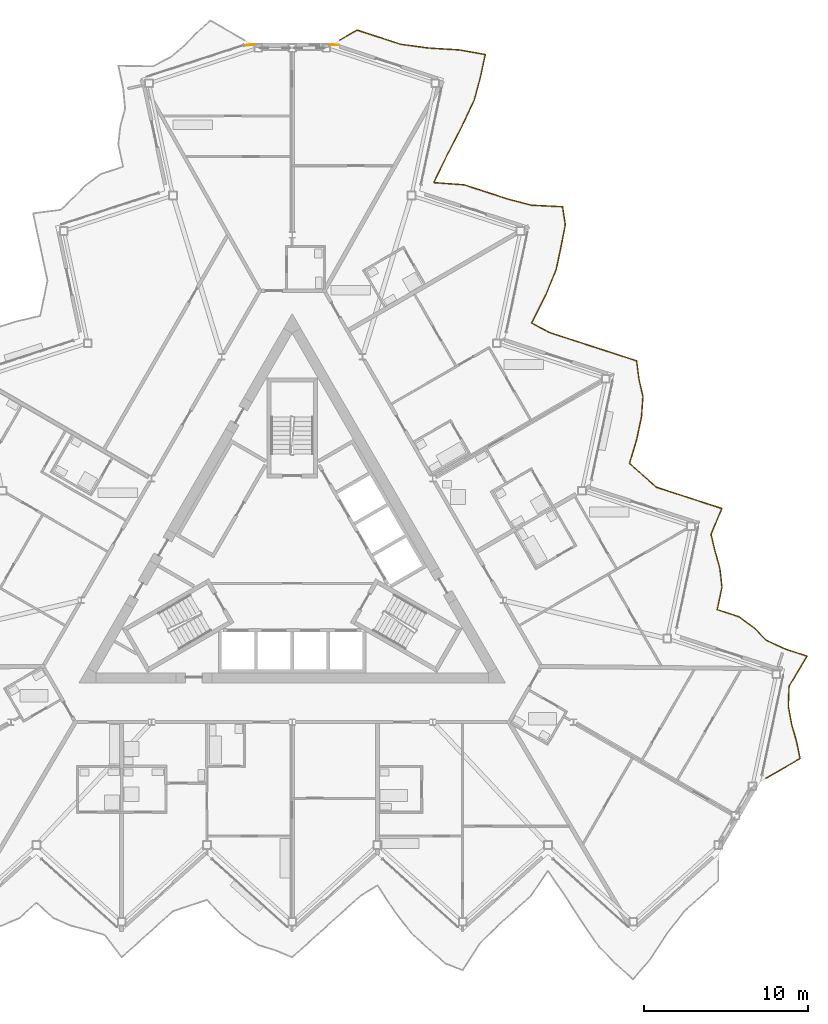
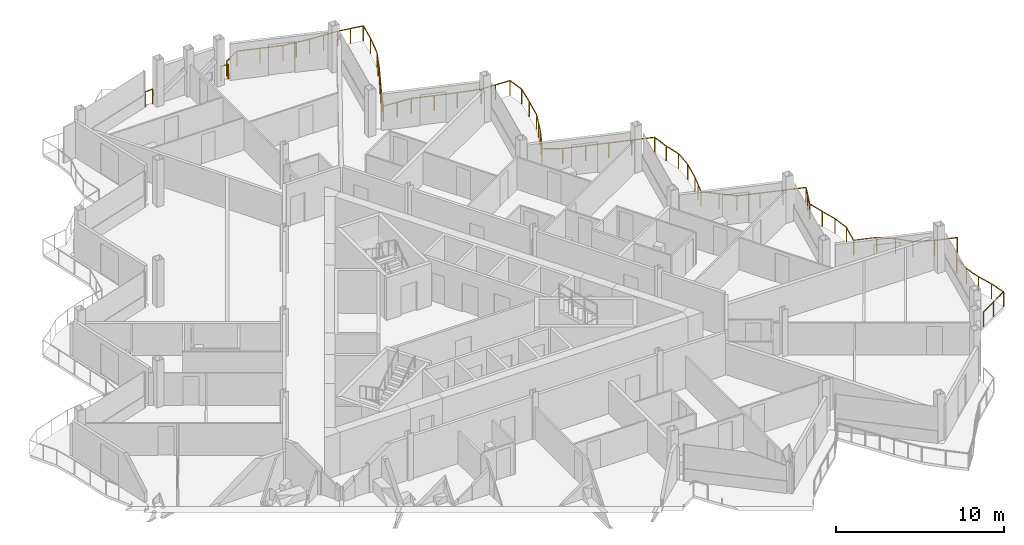
# One storey, part 24 of 26: 3 railings.
"""IFC4 building model written with IfcOpenShell, lengths in metres."""

from ifc_helpers import new_model, si_unit, direction, frame, origin, origin_2d, place, context, subcontext, project, spatial, circle, extrude, material, type_object, element, save


model = new_model("IFC4")

# Units and contexts
model_context = context("Model", 3, precision=1e-05, world=origin(), true_north=direction((0.0, 1.0)))
body_context = subcontext(model_context, "Body", "Model", "MODEL_VIEW")
ifc_project = project(units=[si_unit("LENGTHUNIT", "METRE"), si_unit("AREAUNIT", "SQUARE_METRE"), si_unit("VOLUMEUNIT", "CUBIC_METRE"), si_unit("PLANEANGLEUNIT", "RADIAN"), si_unit("MASSUNIT", "GRAM", prefix="KILO")], contexts=[model_context])

# Site, building, storey
site_placement = place(None, origin())
site = spatial("IfcSite", under=ifc_project, at=site_placement, CompositionType="ELEMENT")
building_placement = place(site_placement, origin())
building = spatial("IfcBuilding", under=site, at=building_placement, Name="Cormorant Prow Tower", CompositionType="ELEMENT")
storey_placement = place(building_placement, frame((0.0, 0.0, 378.0)))
storey = spatial("IfcBuildingStorey", under=building, at=storey_placement, Name="L85", CompositionType="ELEMENT", Elevation=378.0)

# Railings
ifc_material_1 = material(Name="Aluminium 6063-T6", Category="aluminium")
railing_type_1 = type_object("IfcRailingType", Name="Balcony guard 1100", PredefinedType="GUARDRAIL", material=ifc_material_1)
railing_1_placement = place(storey_placement, frame((28.9033203125, -13.3349609375, 0.0)))
element("IfcRailing", 1, at=railing_1_placement, inside=storey, type_object=railing_type_1, Name="Balcony guard ENE", PredefinedType="GUARDRAIL", context=body_context, shape_type="SweptSolid", body=[
    extrude(circle(Radius=0.02392578125, at=origin_2d()), frame((0.0, 0.0, 1.076171875), z_axis=(0.866028295127, 0.499994992015, 0.0), x_axis=(-0.499994992015, 0.866028295127, 0.0)), (0.0, 0.0, 1.0), 2.40380859375),
    extrude(circle(Radius=0.02392578125, at=origin_2d()), frame((2.081787109375, 1.201904296875, 1.076171875), z_axis=(-0.202325602869, 0.979318309041, 0.0), x_axis=(-0.979318309041, -0.202325602869, 0.0)), (0.0, 0.0, 1.0), 1.095703125),
    extrude(circle(Radius=0.02392578125, at=origin_2d()), frame((1.860107421875, 2.27490234375, 1.076171875), z_axis=(-0.276104892349, 0.961127508929, 0.0), x_axis=(-0.961127508929, -0.276104892349, 0.0)), (0.0, 0.0, 1.0), 1.07177734375),
    extrude(circle(Radius=0.02392578125, at=origin_2d()), frame((1.564208984375, 3.304931640625, 1.076171875), z_axis=(-0.179041046947, 0.983841604888, 0.0), x_axis=(-0.983841604888, -0.179041046947, 0.0)), (0.0, 0.0, 1.0), 1.1044921875),
    extrude(circle(Radius=0.02392578125, at=origin_2d()), frame((1.366455078125, 4.3916015625, 1.076171875), z_axis=(0.036393784558, 0.999337526787, 0.0), x_axis=(-0.999337526787, 0.036393784558, 0.0)), (0.0, 0.0, 1.0), 1.2275390625),
    extrude(circle(Radius=0.02392578125, at=origin_2d()), frame((1.4111328125, 5.618408203125, 1.076171875), z_axis=(0.513992423675, 0.857794723932, 0.0), x_axis=(-0.857794723932, 0.513992423675, 0.0)), (0.0, 0.0, 1.0), 2.140380859375),
    extrude(circle(Radius=0.02392578125, at=origin_2d()), frame((2.51123046875, 7.454345703125, 1.076171875), z_axis=(-0.951012270488, 0.309153135811, 0.0), x_axis=(-0.309153135811, -0.951012270488, 0.0)), (0.0, 0.0, 1.0), 1.3994140625),
    extrude(circle(Radius=0.02392578125, at=origin_2d()), frame((1.180419921875, 7.886962890625, 1.076171875), z_axis=(-0.908513727813, 0.417855006402, 0.0), x_axis=(-0.417855006402, -0.908513727813, 0.0)), (0.0, 0.0, 1.0), 1.2744140625),
    extrude(circle(Radius=0.02392578125, at=origin_2d()), frame((0.022705078125, 8.41943359375, 1.076171875), z_axis=(-0.702205596006, 0.71197422772, 0.0), x_axis=(-0.71197422772, -0.702205596006, 0.0)), (0.0, 0.0, 1.0), 1.07470703125),
    extrude(circle(Radius=0.02392578125, at=origin_2d()), frame((-0.73193359375, 9.1845703125, 1.076171875), z_axis=(-0.803679218866, 0.595062780859, 0.0), x_axis=(-0.595062780859, -0.803679218866, 0.0)), (0.0, 0.0, 1.0), 1.134033203125),
    extrude(circle(Radius=0.02392578125, at=origin_2d()), frame((-1.643310546875, 9.859375, 1.076171875), z_axis=(-0.951080208938, 0.308944066403, 0.0), x_axis=(-0.308944066403, -0.951080208938, 0.0)), (0.0, 0.0, 1.0), 1.3994140625),
    extrude(circle(Radius=0.02392578125, at=origin_2d()), frame((-2.974365234375, 10.291748046875, 1.076171875), z_axis=(0.207944297815, 0.978140669335, 0.0), x_axis=(-0.978140669335, 0.207944297815, 0.0)), (0.0, 0.0, 1.0), 1.3994140625),
    extrude(circle(Radius=0.02392578125, at=origin_2d()), frame((-2.683349609375, 11.66064453125, 1.076171875), z_axis=(-0.109629324319, 0.993972540491, 0.0), x_axis=(-0.993972540491, -0.109629324319, 0.0)), (0.0, 0.0, 1.0), 1.1357421875),
    extrude(circle(Radius=0.02392578125, at=origin_2d()), frame((-2.807861328125, 12.78955078125, 1.076171875), z_axis=(-0.265019247186, 0.964243122154, 0.0), x_axis=(-0.964243122154, -0.265019247186, 0.0)), (0.0, 0.0, 1.0), 1.074951171875),
    extrude(circle(Radius=0.02392578125, at=origin_2d()), frame((-3.0927734375, 13.826171875, 1.076171875), z_axis=(-0.240942814377, 0.970539314093, 0.0), x_axis=(-0.970539314093, -0.240942814377, 0.0)), (0.0, 0.0, 1.0), 1.082275390625),
    extrude(circle(Radius=0.02392578125, at=origin_2d()), frame((-3.353515625, 14.87646484375, 1.076171875), z_axis=(0.386843594076, 0.922145343057, 0.0), x_axis=(-0.922145343057, 0.386843594076, 0.0)), (0.0, 0.0, 1.0), 1.718505859375),
    extrude(circle(Radius=0.02392578125, at=origin_2d()), frame((-2.688720703125, 16.461181640625, 1.076171875), z_axis=(-0.951063554534, 0.308995332064, 0.0), x_axis=(-0.308995332064, -0.951063554534, 0.0)), (0.0, 0.0, 1.0), 1.399169921875),
    extrude(circle(Radius=0.02392578125, at=origin_2d()), frame((-4.01953125, 16.8935546875, 1.076171875), z_axis=(-0.951080208938, 0.308944066403, 0.0), x_axis=(-0.308944066403, -0.951080208938, 0.0)), (0.0, 0.0, 1.0), 1.3994140625),
    extrude(circle(Radius=0.02392578125, at=origin_2d()), frame((-5.3505859375, 17.325927734375, 1.076171875), z_axis=(-0.951028941009, 0.309101849499, 0.0), x_axis=(-0.309101849499, -0.951028941009, 0.0)), (0.0, 0.0, 1.0), 1.399658203125),
    extrude(circle(Radius=0.02392578125, at=origin_2d()), frame((-6.681640625, 17.758544921875, 1.076171875), z_axis=(-0.749896296712, 0.661555397663, 0.0), x_axis=(-0.661555397663, -0.749896296712, 0.0)), (0.0, 0.0, 1.0), 1.09716796875),
    extrude(circle(Radius=0.02392578125, at=origin_2d()), frame((-7.50439453125, 18.484375, 1.076171875), z_axis=(-0.746202638574, 0.665718876242, 0.0), x_axis=(-0.665718876242, -0.746202638574, 0.0)), (0.0, 0.0, 1.0), 1.094970703125),
    extrude(circle(Radius=0.02392578125, at=origin_2d()), frame((-8.321533203125, 19.21337890625, 1.076171875), z_axis=(0.288601434171, 0.957449326176, 0.0), x_axis=(-0.957449326176, 0.288601434171, 0.0)), (0.0, 0.0, 1.0), 1.5185546875),
    extrude(circle(Radius=0.02392578125, at=origin_2d()), frame((-7.88330078125, 20.667236328125, 1.076171875), z_axis=(0.20777738218, 0.978176139279, 0.0), x_axis=(-0.978176139279, 0.20777738218, 0.0)), (0.0, 0.0, 1.0), 1.3994140625),
    extrude(circle(Radius=0.02392578125, at=origin_2d()), frame((-7.592529296875, 22.0361328125, 1.076171875), z_axis=(0.0707909509, 0.99749117353, 0.0), x_axis=(-0.99749117353, 0.0707909509, 0.0)), (0.0, 0.0, 1.0), 1.25537109375),
    extrude(circle(Radius=0.02392578125, at=origin_2d()), frame((-7.503662109375, 23.288330078125, 1.076171875), z_axis=(-0.221795575356, 0.975093186702, 0.0), x_axis=(-0.975093186702, -0.221795575356, 0.0)), (0.0, 0.0, 1.0), 1.088623046875),
    extrude(circle(Radius=0.02392578125, at=origin_2d()), frame((-7.7451171875, 24.349853515625, 1.076171875), z_axis=(-0.127366491719, 0.991855723776, 0.0), x_axis=(-0.991855723776, -0.127366491719, 0.0)), (0.0, 0.0, 1.0), 1.127197265625),
    extrude(circle(Radius=0.02392578125, at=origin_2d()), frame((-7.888671875, 25.4677734375, 1.076171875), z_axis=(-0.951080208938, 0.308944066403, 0.0), x_axis=(-0.308944066403, -0.951080208938, 0.0)), (0.0, 0.0, 1.0), 1.3994140625),
    extrude(circle(Radius=0.02392578125, at=origin_2d()), frame((-9.2197265625, 25.900146484375, 1.076171875), z_axis=(-0.951012270488, 0.309153135811, 0.0), x_axis=(-0.309153135811, -0.951012270488, 0.0)), (0.0, 0.0, 1.0), 1.3994140625),
    extrude(circle(Radius=0.02392578125, at=origin_2d()), frame((-10.550537109375, 26.332763671875, 1.076171875), z_axis=(-0.951080208938, 0.308944066403, 0.0), x_axis=(-0.308944066403, -0.951080208938, 0.0)), (0.0, 0.0, 1.0), 1.3994140625),
    extrude(circle(Radius=0.02392578125, at=origin_2d()), frame((-11.881591796875, 26.76513671875, 1.076171875), z_axis=(-0.951063554534, 0.308995332064, 0.0), x_axis=(-0.308995332064, -0.951063554534, 0.0)), (0.0, 0.0, 1.0), 1.399169921875),
    extrude(circle(Radius=0.02392578125, at=origin_2d()), frame((-13.21240234375, 27.197509765625, 1.076171875), z_axis=(-0.88112376945, 0.472885718658, 0.0), x_axis=(-0.472885718658, -0.88112376945, 0.0)), (0.0, 0.0, 1.0), 1.2236328125),
    extrude(circle(Radius=0.02392578125, at=origin_2d()), frame((-14.29052734375, 27.776123046875, 1.076171875), z_axis=(0.451217643657, 0.892413938737, 0.0), x_axis=(-0.892413938737, 0.451217643657, 0.0)), (0.0, 0.0, 1.0), 1.900146484375),
    extrude(circle(Radius=0.02392578125, at=origin_2d()), frame((-13.43310546875, 29.471923828125, 1.076171875), z_axis=(0.377635149008, 0.925954477409, 0.0), x_axis=(-0.925954477409, 0.377635149008, 0.0)), (0.0, 0.0, 1.0), 1.696533203125),
    extrude(circle(Radius=0.02392578125, at=origin_2d()), frame((-12.79248046875, 31.042724609375, 1.076171875), z_axis=(0.207944297815, 0.978140669335, 0.0), x_axis=(-0.978140669335, 0.207944297815, 0.0)), (0.0, 0.0, 1.0), 1.3994140625),
    extrude(circle(Radius=0.02392578125, at=origin_2d()), frame((-12.50146484375, 32.41162109375, 1.076171875), z_axis=(0.190181724956, 0.981748904503, 0.0), x_axis=(-0.981748904503, 0.190181724956, 0.0)), (0.0, 0.0, 1.0), 1.37744140625),
    extrude(circle(Radius=0.02392578125, at=origin_2d()), frame((-12.239501953125, 33.763916015625, 1.076171875), z_axis=(-0.15020043655, 0.988655566343, 0.0), x_axis=(-0.988655566343, -0.15020043655, 0.0)), (0.0, 0.0, 1.0), 1.11669921875),
    extrude(circle(Radius=0.02392578125, at=origin_2d()), frame((-12.4072265625, 34.867919921875, 1.076171875), z_axis=(-0.998745657761, 0.050071060531, 0.0), x_axis=(-0.050071060531, -0.998745657761, 0.0)), (0.0, 0.0, 1.0), 1.916259765625),
    extrude(circle(Radius=0.02392578125, at=origin_2d()), frame((-14.321044921875, 34.9638671875, 1.076171875), z_axis=(-0.96719850901, 0.254021739559, 0.0), x_axis=(-0.254021739559, -0.96719850901, 0.0)), (0.0, 0.0, 1.0), 1.478271484375),
    extrude(circle(Radius=0.02392578125, at=origin_2d()), frame((-15.750732421875, 35.33935546875, 1.076171875), z_axis=(-0.951063554534, 0.308995332064, 0.0), x_axis=(-0.308995332064, -0.951063554534, 0.0)), (0.0, 0.0, 1.0), 1.399169921875),
    extrude(circle(Radius=0.02392578125, at=origin_2d()), frame((-17.08154296875, 35.771728515625, 1.076171875), z_axis=(-0.951028941009, 0.309101849499, 0.0), x_axis=(-0.309101849499, -0.951028941009, 0.0)), (0.0, 0.0, 1.0), 1.399658203125),
    extrude(circle(Radius=0.02392578125, at=origin_2d()), frame((-18.41259765625, 36.204345703125, 1.076171875), z_axis=(-0.997259818813, 0.073978738712, 0.0), x_axis=(-0.073978738712, -0.997259818813, 0.0)), (0.0, 0.0, 1.0), 1.84814453125),
    extrude(circle(Radius=0.02392578125, at=origin_2d()), frame((-20.255615234375, 36.341064453125, 1.076171875), z_axis=(0.433887187324, 0.900967207326, 0.0), x_axis=(-0.900967207326, 0.433887187324, 0.0)), (0.0, 0.0, 1.0), 1.84619140625),
    extrude(circle(Radius=0.02392578125, at=origin_2d()), frame((-19.45458984375, 38.00439453125, 1.076171875), z_axis=(0.457304922398, 0.889309961684, 0.0), x_axis=(-0.889309961684, 0.457304922398, 0.0)), (0.0, 0.0, 1.0), 1.92041015625),
    extrude(circle(Radius=0.02392578125, at=origin_2d()), frame((-18.576416015625, 39.712158203125, 1.076171875), z_axis=(0.427828029535, 0.903860153533, 0.0), x_axis=(-0.903860153533, 0.427828029535, 0.0)), (0.0, 0.0, 1.0), 1.828369140625),
    extrude(circle(Radius=0.02392578125, at=origin_2d()), frame((-17.794189453125, 41.36474609375, 1.076171875), z_axis=(0.260466628083, 0.965482851042, 0.0), x_axis=(-0.965482851042, 0.260466628083, 0.0)), (0.0, 0.0, 1.0), 1.473388671875),
    extrude(circle(Radius=0.02392578125, at=origin_2d()), frame((-17.410400390625, 42.787353515625, 1.076171875), z_axis=(0.207812845083, 0.978168605823, 0.0), x_axis=(-0.978168605823, 0.207812845083, 0.0)), (0.0, 0.0, 1.0), 1.399169921875),
    extrude(circle(Radius=0.02392578125, at=origin_2d()), frame((-17.11962890625, 44.156005859375, 1.076171875), z_axis=(-0.984969623466, 0.172727649348, 0.0), x_axis=(-0.172727649348, -0.984969623466, 0.0)), (0.0, 0.0, 1.0), 1.619873046875),
    extrude(circle(Radius=0.02392578125, at=origin_2d()), frame((-18.715087890625, 44.435791015625, 1.076171875), z_axis=(-0.998119075428, 0.061305067222, 0.0), x_axis=(-0.061305067222, -0.998119075428, 0.0)), (0.0, 0.0, 1.0), 1.8837890625),
    extrude(circle(Radius=0.02392578125, at=origin_2d()), frame((-20.59521484375, 44.55126953125, 1.076171875), z_axis=(-0.991040222336, 0.133563758974, 0.0), x_axis=(-0.133563758974, -0.991040222336, 0.0)), (0.0, 0.0, 1.0), 1.70166015625),
    extrude(circle(Radius=0.02392578125, at=origin_2d()), frame((-22.28173828125, 44.778564453125, 1.076171875), z_axis=(-0.951063554534, 0.308995332064, 0.0), x_axis=(-0.308995332064, -0.951063554534, 0.0)), (0.0, 0.0, 1.0), 1.399169921875),
    extrude(circle(Radius=0.02392578125, at=origin_2d()), frame((-23.612548828125, 45.2109375, 1.076171875), z_axis=(-0.951080208938, 0.308944066403, 0.0), x_axis=(-0.308944066403, -0.951080208938, 0.0)), (0.0, 0.0, 1.0), 1.3994140625),
    extrude(circle(Radius=0.02392578125, at=origin_2d()), frame((-24.943603515625, 45.643310546875, 1.076171875), z_axis=(-0.866042269935, -0.499970785833, 0.0), x_axis=(0.499970785833, -0.866042269935, 0.0)), (0.0, 0.0, 1.0), 1.2197265625),
    extrude(circle(Radius=0.02099609375, at=origin_2d()), origin(), (0.0, 0.0, 1.0), 1.052001953125),
    extrude(circle(Radius=0.02099609375, at=origin_2d()), frame((1.041015625, 0.60107421875, 0.0)), (0.0, 0.0, 1.0), 1.052001953125),
    extrude(circle(Radius=0.02099609375, at=origin_2d()), frame((2.081787109375, 1.201904296875, 0.0)), (0.0, 0.0, 1.0), 1.052001953125),
    extrude(circle(Radius=0.02099609375, at=origin_2d()), frame((1.860107421875, 2.27490234375, 0.0)), (0.0, 0.0, 1.0), 1.052001953125),
    extrude(circle(Radius=0.02099609375, at=origin_2d()), frame((1.564208984375, 3.304931640625, 0.0)), (0.0, 0.0, 1.0), 1.052001953125),
    extrude(circle(Radius=0.02099609375, at=origin_2d()), frame((1.366455078125, 4.3916015625, 0.0)), (0.0, 0.0, 1.0), 1.052001953125),
    extrude(circle(Radius=0.02099609375, at=origin_2d()), frame((1.4111328125, 5.618408203125, 0.0)), (0.0, 0.0, 1.0), 1.052001953125),
    extrude(circle(Radius=0.02099609375, at=origin_2d()), frame((1.961181640625, 6.536376953125, 0.0)), (0.0, 0.0, 1.0), 1.052001953125),
    extrude(circle(Radius=0.02099609375, at=origin_2d()), frame((2.51123046875, 7.454345703125, 0.0)), (0.0, 0.0, 1.0), 1.052001953125),
    extrude(circle(Radius=0.02099609375, at=origin_2d()), frame((1.180419921875, 7.886962890625, 0.0)), (0.0, 0.0, 1.0), 1.052001953125),
    extrude(circle(Radius=0.02099609375, at=origin_2d()), frame((0.022705078125, 8.41943359375, 0.0)), (0.0, 0.0, 1.0), 1.052001953125),
    extrude(circle(Radius=0.02099609375, at=origin_2d()), frame((-0.73193359375, 9.1845703125, 0.0)), (0.0, 0.0, 1.0), 1.052001953125),
    extrude(circle(Radius=0.02099609375, at=origin_2d()), frame((-1.643310546875, 9.859375, 0.0)), (0.0, 0.0, 1.0), 1.052001953125),
    extrude(circle(Radius=0.02099609375, at=origin_2d()), frame((-2.974365234375, 10.291748046875, 0.0)), (0.0, 0.0, 1.0), 1.052001953125),
    extrude(circle(Radius=0.02099609375, at=origin_2d()), frame((-2.683349609375, 11.66064453125, 0.0)), (0.0, 0.0, 1.0), 1.052001953125),
    extrude(circle(Radius=0.02099609375, at=origin_2d()), frame((-2.807861328125, 12.78955078125, 0.0)), (0.0, 0.0, 1.0), 1.052001953125),
    extrude(circle(Radius=0.02099609375, at=origin_2d()), frame((-3.0927734375, 13.826171875, 0.0)), (0.0, 0.0, 1.0), 1.052001953125),
    extrude(circle(Radius=0.02099609375, at=origin_2d()), frame((-3.353515625, 14.87646484375, 0.0)), (0.0, 0.0, 1.0), 1.052001953125),
    extrude(circle(Radius=0.02099609375, at=origin_2d()), frame((-3.02099609375, 15.6689453125, 0.0)), (0.0, 0.0, 1.0), 1.052001953125),
    extrude(circle(Radius=0.02099609375, at=origin_2d()), frame((-2.688720703125, 16.461181640625, 0.0)), (0.0, 0.0, 1.0), 1.052001953125),
    extrude(circle(Radius=0.02099609375, at=origin_2d()), frame((-4.01953125, 16.8935546875, 0.0)), (0.0, 0.0, 1.0), 1.052001953125),
    extrude(circle(Radius=0.02099609375, at=origin_2d()), frame((-5.3505859375, 17.325927734375, 0.0)), (0.0, 0.0, 1.0), 1.052001953125),
    extrude(circle(Radius=0.02099609375, at=origin_2d()), frame((-6.681640625, 17.758544921875, 0.0)), (0.0, 0.0, 1.0), 1.052001953125),
    extrude(circle(Radius=0.02099609375, at=origin_2d()), frame((-7.50439453125, 18.484375, 0.0)), (0.0, 0.0, 1.0), 1.052001953125),
    extrude(circle(Radius=0.02099609375, at=origin_2d()), frame((-8.321533203125, 19.21337890625, 0.0)), (0.0, 0.0, 1.0), 1.052001953125),
    extrude(circle(Radius=0.02099609375, at=origin_2d()), frame((-8.1025390625, 19.9404296875, 0.0)), (0.0, 0.0, 1.0), 1.052001953125),
    extrude(circle(Radius=0.02099609375, at=origin_2d()), frame((-7.88330078125, 20.667236328125, 0.0)), (0.0, 0.0, 1.0), 1.052001953125),
    extrude(circle(Radius=0.02099609375, at=origin_2d()), frame((-7.592529296875, 22.0361328125, 0.0)), (0.0, 0.0, 1.0), 1.052001953125),
    extrude(circle(Radius=0.02099609375, at=origin_2d()), frame((-7.503662109375, 23.288330078125, 0.0)), (0.0, 0.0, 1.0), 1.052001953125),
    extrude(circle(Radius=0.02099609375, at=origin_2d()), frame((-7.7451171875, 24.349853515625, 0.0)), (0.0, 0.0, 1.0), 1.052001953125),
    extrude(circle(Radius=0.02099609375, at=origin_2d()), frame((-7.888671875, 25.4677734375, 0.0)), (0.0, 0.0, 1.0), 1.052001953125),
    extrude(circle(Radius=0.02099609375, at=origin_2d()), frame((-9.2197265625, 25.900146484375, 0.0)), (0.0, 0.0, 1.0), 1.052001953125),
    extrude(circle(Radius=0.02099609375, at=origin_2d()), frame((-10.550537109375, 26.332763671875, 0.0)), (0.0, 0.0, 1.0), 1.052001953125),
    extrude(circle(Radius=0.02099609375, at=origin_2d()), frame((-11.881591796875, 26.76513671875, 0.0)), (0.0, 0.0, 1.0), 1.052001953125),
    extrude(circle(Radius=0.02099609375, at=origin_2d()), frame((-13.21240234375, 27.197509765625, 0.0)), (0.0, 0.0, 1.0), 1.052001953125),
    extrude(circle(Radius=0.02099609375, at=origin_2d()), frame((-14.29052734375, 27.776123046875, 0.0)), (0.0, 0.0, 1.0), 1.052001953125),
    extrude(circle(Radius=0.02099609375, at=origin_2d()), frame((-13.86181640625, 28.6240234375, 0.0)), (0.0, 0.0, 1.0), 1.052001953125),
    extrude(circle(Radius=0.02099609375, at=origin_2d()), frame((-13.43310546875, 29.471923828125, 0.0)), (0.0, 0.0, 1.0), 1.052001953125),
    extrude(circle(Radius=0.02099609375, at=origin_2d()), frame((-13.11279296875, 30.25732421875, 0.0)), (0.0, 0.0, 1.0), 1.052001953125),
    extrude(circle(Radius=0.02099609375, at=origin_2d()), frame((-12.79248046875, 31.042724609375, 0.0)), (0.0, 0.0, 1.0), 1.052001953125),
    extrude(circle(Radius=0.02099609375, at=origin_2d()), frame((-12.50146484375, 32.41162109375, 0.0)), (0.0, 0.0, 1.0), 1.052001953125),
    extrude(circle(Radius=0.02099609375, at=origin_2d()), frame((-12.239501953125, 33.763916015625, 0.0)), (0.0, 0.0, 1.0), 1.052001953125),
    extrude(circle(Radius=0.02099609375, at=origin_2d()), frame((-12.4072265625, 34.867919921875, 0.0)), (0.0, 0.0, 1.0), 1.052001953125),
    extrude(circle(Radius=0.02099609375, at=origin_2d()), frame((-13.3642578125, 34.916015625, 0.0)), (0.0, 0.0, 1.0), 1.052001953125),
    extrude(circle(Radius=0.02099609375, at=origin_2d()), frame((-14.321044921875, 34.9638671875, 0.0)), (0.0, 0.0, 1.0), 1.052001953125),
    extrude(circle(Radius=0.02099609375, at=origin_2d()), frame((-15.750732421875, 35.33935546875, 0.0)), (0.0, 0.0, 1.0), 1.052001953125),
    extrude(circle(Radius=0.02099609375, at=origin_2d()), frame((-17.08154296875, 35.771728515625, 0.0)), (0.0, 0.0, 1.0), 1.052001953125),
    extrude(circle(Radius=0.02099609375, at=origin_2d()), frame((-18.41259765625, 36.204345703125, 0.0)), (0.0, 0.0, 1.0), 1.052001953125),
    extrude(circle(Radius=0.02099609375, at=origin_2d()), frame((-19.333984375, 36.272705078125, 0.0)), (0.0, 0.0, 1.0), 1.052001953125),
    extrude(circle(Radius=0.02099609375, at=origin_2d()), frame((-20.255615234375, 36.341064453125, 0.0)), (0.0, 0.0, 1.0), 1.052001953125),
    extrude(circle(Radius=0.02099609375, at=origin_2d()), frame((-19.85498046875, 37.1728515625, 0.0)), (0.0, 0.0, 1.0), 1.052001953125),
    extrude(circle(Radius=0.02099609375, at=origin_2d()), frame((-19.45458984375, 38.00439453125, 0.0)), (0.0, 0.0, 1.0), 1.052001953125),
    extrude(circle(Radius=0.02099609375, at=origin_2d()), frame((-19.015625, 38.8583984375, 0.0)), (0.0, 0.0, 1.0), 1.052001953125),
    extrude(circle(Radius=0.02099609375, at=origin_2d()), frame((-18.576416015625, 39.712158203125, 0.0)), (0.0, 0.0, 1.0), 1.052001953125),
    extrude(circle(Radius=0.02099609375, at=origin_2d()), frame((-18.185302734375, 40.53857421875, 0.0)), (0.0, 0.0, 1.0), 1.052001953125),
    extrude(circle(Radius=0.02099609375, at=origin_2d()), frame((-17.794189453125, 41.36474609375, 0.0)), (0.0, 0.0, 1.0), 1.052001953125),
    extrude(circle(Radius=0.02099609375, at=origin_2d()), frame((-17.410400390625, 42.787353515625, 0.0)), (0.0, 0.0, 1.0), 1.052001953125),
    extrude(circle(Radius=0.02099609375, at=origin_2d()), frame((-17.11962890625, 44.156005859375, 0.0)), (0.0, 0.0, 1.0), 1.052001953125),
    extrude(circle(Radius=0.02099609375, at=origin_2d()), frame((-17.91748046875, 44.2958984375, 0.0)), (0.0, 0.0, 1.0), 1.052001953125),
    extrude(circle(Radius=0.02099609375, at=origin_2d()), frame((-18.715087890625, 44.435791015625, 0.0)), (0.0, 0.0, 1.0), 1.052001953125),
    extrude(circle(Radius=0.02099609375, at=origin_2d()), frame((-19.6552734375, 44.49365234375, 0.0)), (0.0, 0.0, 1.0), 1.052001953125),
    extrude(circle(Radius=0.02099609375, at=origin_2d()), frame((-20.59521484375, 44.55126953125, 0.0)), (0.0, 0.0, 1.0), 1.052001953125),
    extrude(circle(Radius=0.02099609375, at=origin_2d()), frame((-21.4384765625, 44.6650390625, 0.0)), (0.0, 0.0, 1.0), 1.052001953125),
    extrude(circle(Radius=0.02099609375, at=origin_2d()), frame((-22.28173828125, 44.778564453125, 0.0)), (0.0, 0.0, 1.0), 1.052001953125),
    extrude(circle(Radius=0.02099609375, at=origin_2d()), frame((-23.612548828125, 45.2109375, 0.0)), (0.0, 0.0, 1.0), 1.052001953125),
    extrude(circle(Radius=0.02099609375, at=origin_2d()), frame((-24.943603515625, 45.643310546875, 0.0)), (0.0, 0.0, 1.0), 1.052001953125),
    extrude(circle(Radius=0.02099609375, at=origin_2d()), frame((-26.0, 45.033447265625, 0.0)), (0.0, 0.0, 1.0), 1.052001953125),
])
ifc_material_2 = material(Name="Stainless steel", Category="steel")
railing_type_2 = type_object("IfcRailingType", Name="Facade corner guard 1100", PredefinedType="GUARDRAIL", material=ifc_material_2)
railing_2_placement = place(storey_placement, frame((-2.85595703125, 31.3720703125, 0.0)))
element("IfcRailing", 2, at=railing_2_placement, inside=storey, type_object=railing_type_2, Name="Facade corner guard L85 1", PredefinedType="GUARDRAIL", context=body_context, shape_type="SweptSolid", body=[
    extrude(circle(Radius=0.02392578125, at=origin_2d()), frame((0.0, 0.0, 1.076171875), z_axis=(0.996809232767, 0.079820758391, 0.0), x_axis=(-0.079820758391, 0.996809232767, 0.0)), (0.0, 0.0, 1.0), 0.513916015625),
    extrude(circle(Radius=0.02099609375, at=origin_2d()), origin(), (0.0, 0.0, 1.0), 1.052001953125),
    extrude(circle(Radius=0.02099609375, at=origin_2d()), frame((0.51220703125, 0.041015625, 0.0)), (0.0, 0.0, 1.0), 1.052001953125),
])
railing_3_placement = place(storey_placement, frame((2.34375, 31.410400390625, 0.0)))
element("IfcRailing", 3, at=railing_3_placement, inside=storey, type_object=railing_type_2, Name="Facade corner guard L85 2", PredefinedType="GUARDRAIL", context=body_context, shape_type="SweptSolid", body=[
    extrude(circle(Radius=0.02392578125, at=origin_2d()), frame((0.0, 0.0, 1.076171875), z_axis=(0.999217664146, -0.039548194122, 0.0), x_axis=(0.039548194122, 0.999217664146, 0.0)), (0.0, 0.0, 1.0), 0.48779296875),
    extrude(circle(Radius=0.02099609375, at=origin_2d()), origin(), (0.0, 0.0, 1.0), 1.052001953125),
    extrude(circle(Radius=0.02099609375, at=origin_2d()), frame((0.4873046875, -0.019287109375, 0.0)), (0.0, 0.0, 1.0), 1.052001953125),
])

save(model, "model.ifc")
